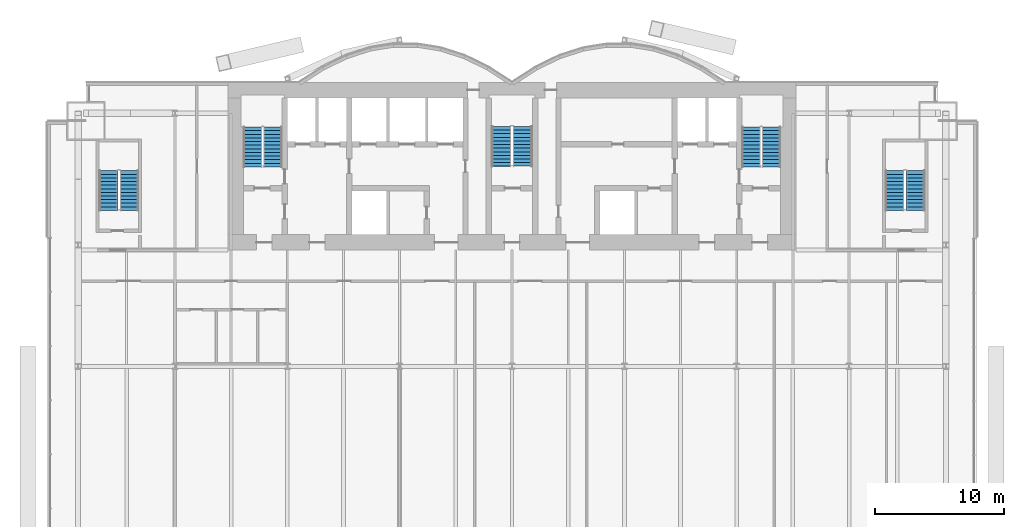
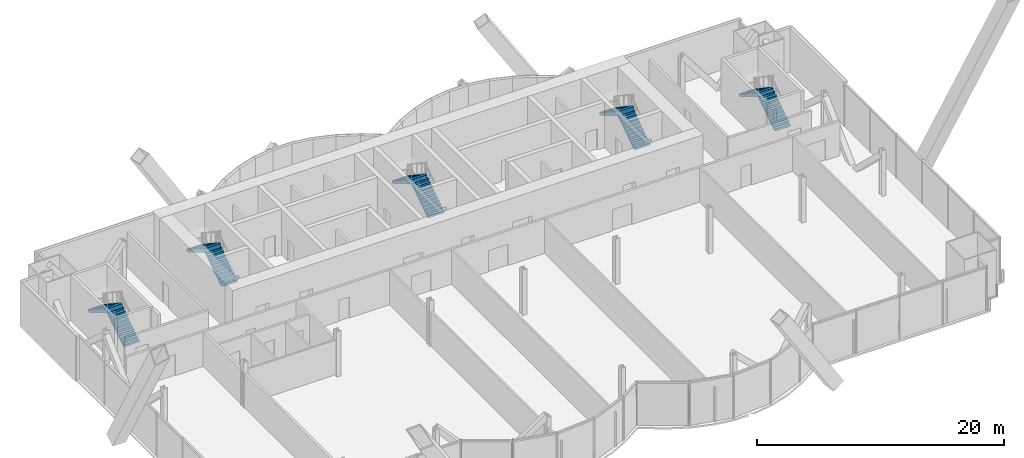
# One storey, part 20 of 23: 10 stair flights, 5 elements without a shape of their own.
"""IFC4 building model written with IfcOpenShell, lengths in metres."""

from ifc_helpers import new_model, si_unit, direction, frame, origin, place, context, subcontext, project, spatial, polyline, outline, extrude, material, type_object, element, aggregate, save


model = new_model("IFC4")

# Units and contexts
model_context = context("Model", 3, precision=1e-05, world=origin(), true_north=direction((0.0, 1.0)))
body_context = subcontext(model_context, "Body", "Model", "MODEL_VIEW")
ifc_project = project(units=[si_unit("LENGTHUNIT", "METRE"), si_unit("AREAUNIT", "SQUARE_METRE"), si_unit("VOLUMEUNIT", "CUBIC_METRE"), si_unit("PLANEANGLEUNIT", "RADIAN"), si_unit("MASSUNIT", "GRAM", prefix="KILO")], contexts=[model_context])

# Site, building, storey
site_placement = place(None, origin())
site = spatial("IfcSite", under=ifc_project, at=site_placement, CompositionType="ELEMENT")
building_placement = place(site_placement, origin())
building = spatial("IfcBuilding", under=site, at=building_placement, Name="Bicima Exchange Tower", CompositionType="ELEMENT")
storey_placement = place(building_placement, frame((0.0, 0.0, 62.0)))
storey = spatial("IfcBuildingStorey", under=building, at=storey_placement, Name="L12", CompositionType="ELEMENT", Elevation=62.0)

# Stair, stair flights
ifc_material = material(Name="Concrete C50/60", Category="concrete")
stair_type_1 = type_object("IfcStairType", Name="Exit stair", PredefinedType="HALF_TURN_STAIR", material=ifc_material)
stair_1_placement = place(storey_placement, origin())
stair_1 = element("IfcStair", 1, at=stair_1_placement, inside=storey, type_object=stair_type_1, Name="L12 West exit stair", PredefinedType="HALF_TURN_STAIR")
stair_flight_type_1 = type_object("IfcStairFlightType", Name="Stair flight RC", PredefinedType="STRAIGHT", material=ifc_material)
stair_flight_1_placement = place(storey_placement, frame((-18.52490234375, -6.550048828125, 0.0), z_axis=(0.0, 0.0, 1.0), x_axis=(0.0, 1.0, 0.0)))
stair_flight_1 = element("IfcStairFlight", 2, at=stair_flight_1_placement, type_object=stair_flight_type_1, Name="ST-W flight 1", NumberOfRisers=12, NumberOfTreads=11, PredefinedType="STRAIGHT", RiserHeight=0.1875, TreadLength=0.28, context=body_context, shape_type="SweptSolid", body=[
    extrude(outline(polyline([(0.0, 0.0), (0.0, 0.1875), (0.280029296875, 0.1875), (0.280029296875, 0.375), (0.56005859375, 0.375), (0.56005859375, 0.5625), (0.840087890625, 0.5625), (0.840087890625, 0.75), (1.1201171875, 0.75), (1.1201171875, 0.9375), (1.39990234375, 0.9375), (1.39990234375, 1.125), (1.679931640625, 1.125), (1.679931640625, 1.3125), (1.9599609375, 1.3125), (1.9599609375, 1.5), (2.239990234375, 1.5), (2.239990234375, 1.6875), (2.52001953125, 1.6875), (2.52001953125, 1.875), (2.800048828125, 1.875), (2.800048828125, 2.0625), (3.080078125, 2.0625), (3.080078125, 2.25), (3.080078125, 1.882080078125), (0.26953125, 0.0), (0.0, 0.0)])), frame((0.0, 0.72509765625, 0.0), z_axis=(0.0, -1.0, 0.0), x_axis=(1.0, 0.0, 0.0)), (0.0, 0.0, 1.0), 1.449951171875),
])
stair_flight_2_placement = place(storey_placement, frame((-20.074951171875, -3.469970703125, 2.25), z_axis=(0.0, 0.0, 1.0), x_axis=(0.0, -1.0, 0.0)))
stair_flight_2 = element("IfcStairFlight", 3, at=stair_flight_2_placement, type_object=stair_flight_type_1, Name="ST-W flight 2", NumberOfRisers=12, NumberOfTreads=11, PredefinedType="STRAIGHT", RiserHeight=0.1875, TreadLength=0.28, context=body_context, shape_type="SweptSolid", body=[
    extrude(outline(polyline([(0.0, 0.0), (0.0, 0.1875), (0.280029296875, 0.1875), (0.280029296875, 0.375), (0.56005859375, 0.375), (0.56005859375, 0.5625), (0.840087890625, 0.5625), (0.840087890625, 0.75), (1.1201171875, 0.75), (1.1201171875, 0.9375), (1.39990234375, 0.9375), (1.39990234375, 1.125), (1.679931640625, 1.125), (1.679931640625, 1.3125), (1.9599609375, 1.3125), (1.9599609375, 1.5), (2.239990234375, 1.5), (2.239990234375, 1.6875), (2.52001953125, 1.6875), (2.52001953125, 1.875), (2.800048828125, 1.875), (2.800048828125, 2.0625), (3.080078125, 2.0625), (3.080078125, 2.10400390625), (3.094970703125, 2.10400390625), (3.094970703125, 1.70458984375), (0.26953125, 0.0), (0.0, 0.0)])), frame((0.0, 0.72509765625, 0.0), z_axis=(0.0, -1.0, 0.0), x_axis=(1.0, 0.0, 0.0)), (0.0, 0.0, 1.0), 1.449951171875),
])
aggregate(stair_1, [stair_flight_1, stair_flight_2])

stair_2_placement = place(storey_placement, origin())
stair_2 = element("IfcStair", 4, at=stair_2_placement, inside=storey, type_object=stair_type_1, Name="L12 East exit stair", PredefinedType="HALF_TURN_STAIR")
stair_flight_3_placement = place(storey_placement, frame((20.074951171875, -6.550048828125, 0.0), z_axis=(0.0, 0.0, 1.0), x_axis=(0.0, 1.0, 0.0)))
stair_flight_3 = element("IfcStairFlight", 5, at=stair_flight_3_placement, type_object=stair_flight_type_1, Name="ST-E flight 1", NumberOfRisers=12, NumberOfTreads=11, PredefinedType="STRAIGHT", RiserHeight=0.1875, TreadLength=0.28, context=body_context, shape_type="SweptSolid", body=[
    extrude(outline(polyline([(0.0, 0.0), (0.0, 0.1875), (0.280029296875, 0.1875), (0.280029296875, 0.375), (0.56005859375, 0.375), (0.56005859375, 0.5625), (0.840087890625, 0.5625), (0.840087890625, 0.75), (1.1201171875, 0.75), (1.1201171875, 0.9375), (1.39990234375, 0.9375), (1.39990234375, 1.125), (1.679931640625, 1.125), (1.679931640625, 1.3125), (1.9599609375, 1.3125), (1.9599609375, 1.5), (2.239990234375, 1.5), (2.239990234375, 1.6875), (2.52001953125, 1.6875), (2.52001953125, 1.875), (2.800048828125, 1.875), (2.800048828125, 2.0625), (3.080078125, 2.0625), (3.080078125, 2.25), (3.080078125, 1.882080078125), (0.26953125, 0.0), (0.0, 0.0)])), frame((0.0, 0.72509765625, 0.0), z_axis=(0.0, -1.0, 0.0), x_axis=(1.0, 0.0, 0.0)), (0.0, 0.0, 1.0), 1.449951171875),
])
stair_flight_4_placement = place(storey_placement, frame((18.52490234375, -3.469970703125, 2.25), z_axis=(0.0, 0.0, 1.0), x_axis=(0.0, -1.0, 0.0)))
stair_flight_4 = element("IfcStairFlight", 6, at=stair_flight_4_placement, type_object=stair_flight_type_1, Name="ST-E flight 2", NumberOfRisers=12, NumberOfTreads=11, PredefinedType="STRAIGHT", RiserHeight=0.1875, TreadLength=0.28, context=body_context, shape_type="SweptSolid", body=[
    extrude(outline(polyline([(0.0, 0.0), (0.0, 0.1875), (0.280029296875, 0.1875), (0.280029296875, 0.375), (0.56005859375, 0.375), (0.56005859375, 0.5625), (0.840087890625, 0.5625), (0.840087890625, 0.75), (1.1201171875, 0.75), (1.1201171875, 0.9375), (1.39990234375, 0.9375), (1.39990234375, 1.125), (1.679931640625, 1.125), (1.679931640625, 1.3125), (1.9599609375, 1.3125), (1.9599609375, 1.5), (2.239990234375, 1.5), (2.239990234375, 1.6875), (2.52001953125, 1.6875), (2.52001953125, 1.875), (2.800048828125, 1.875), (2.800048828125, 2.0625), (3.080078125, 2.0625), (3.080078125, 2.10400390625), (3.094970703125, 2.10400390625), (3.094970703125, 1.70458984375), (0.26953125, 0.0), (0.0, 0.0)])), frame((0.0, 0.72509765625, 0.0), z_axis=(0.0, -1.0, 0.0), x_axis=(1.0, 0.0, 0.0)), (0.0, 0.0, 1.0), 1.449951171875),
])
aggregate(stair_2, [stair_flight_3, stair_flight_4])

stair_3_placement = place(storey_placement, origin())
stair_3 = element("IfcStair", 7, at=stair_3_placement, inside=storey, type_object=stair_type_1, Name="L12 West end exit stair", PredefinedType="HALF_TURN_STAIR")
stair_flight_5_placement = place(storey_placement, frame((-29.64990234375, -9.925048828125, 0.0), z_axis=(0.0, 0.0, 1.0), x_axis=(0.0, 1.0, 0.0)))
stair_flight_5 = element("IfcStairFlight", 8, at=stair_flight_5_placement, type_object=stair_flight_type_1, Name="ST-WW flight 1", NumberOfRisers=12, NumberOfTreads=11, PredefinedType="STRAIGHT", RiserHeight=0.1875, TreadLength=0.28, context=body_context, shape_type="SweptSolid", body=[
    extrude(outline(polyline([(0.0, 0.0), (0.0, 0.1875), (0.280029296875, 0.1875), (0.280029296875, 0.375), (0.56005859375, 0.375), (0.56005859375, 0.5625), (0.840087890625, 0.5625), (0.840087890625, 0.75), (1.1201171875, 0.75), (1.1201171875, 0.9375), (1.39990234375, 0.9375), (1.39990234375, 1.125), (1.679931640625, 1.125), (1.679931640625, 1.3125), (1.9599609375, 1.3125), (1.9599609375, 1.5), (2.239990234375, 1.5), (2.239990234375, 1.6875), (2.52001953125, 1.6875), (2.52001953125, 1.875), (2.800048828125, 1.875), (2.800048828125, 2.0625), (3.080078125, 2.0625), (3.080078125, 2.25), (3.080078125, 1.882080078125), (0.26953125, 0.0), (0.0, 0.0)])), frame((0.0, 0.72509765625, 0.0), z_axis=(0.0, -1.0, 0.0), x_axis=(1.0, 0.0, 0.0)), (0.0, 0.0, 1.0), 1.449951171875),
])
stair_flight_6_placement = place(storey_placement, frame((-31.25, -6.844970703125, 2.25), z_axis=(0.0, 0.0, 1.0), x_axis=(0.0, -1.0, 0.0)))
stair_flight_6 = element("IfcStairFlight", 9, at=stair_flight_6_placement, type_object=stair_flight_type_1, Name="ST-WW flight 2", NumberOfRisers=12, NumberOfTreads=11, PredefinedType="STRAIGHT", RiserHeight=0.1875, TreadLength=0.28, context=body_context, shape_type="SweptSolid", body=[
    extrude(outline(polyline([(0.0, 0.0), (0.0, 0.1875), (0.280029296875, 0.1875), (0.280029296875, 0.375), (0.56005859375, 0.375), (0.56005859375, 0.5625), (0.840087890625, 0.5625), (0.840087890625, 0.75), (1.1201171875, 0.75), (1.1201171875, 0.9375), (1.39990234375, 0.9375), (1.39990234375, 1.125), (1.679931640625, 1.125), (1.679931640625, 1.3125), (1.9599609375, 1.3125), (1.9599609375, 1.5), (2.239990234375, 1.5), (2.239990234375, 1.6875), (2.52001953125, 1.6875), (2.52001953125, 1.875), (2.800048828125, 1.875), (2.800048828125, 2.0625), (3.080078125, 2.0625), (3.080078125, 2.10400390625), (3.094970703125, 2.10400390625), (3.094970703125, 1.70458984375), (0.26953125, 0.0), (0.0, 0.0)])), frame((0.0, 0.72509765625, 0.0), z_axis=(0.0, -1.0, 0.0), x_axis=(1.0, 0.0, 0.0)), (0.0, 0.0, 1.0), 1.449951171875),
])
aggregate(stair_3, [stair_flight_5, stair_flight_6])

stair_4_placement = place(storey_placement, origin())
stair_4 = element("IfcStair", 10, at=stair_4_placement, inside=storey, type_object=stair_type_1, Name="L12 East end exit stair", PredefinedType="HALF_TURN_STAIR")
stair_flight_7_placement = place(storey_placement, frame((31.25, -9.925048828125, 0.0), z_axis=(0.0, 0.0, 1.0), x_axis=(0.0, 1.0, 0.0)))
stair_flight_7 = element("IfcStairFlight", 11, at=stair_flight_7_placement, type_object=stair_flight_type_1, Name="ST-EE flight 1", NumberOfRisers=12, NumberOfTreads=11, PredefinedType="STRAIGHT", RiserHeight=0.1875, TreadLength=0.28, context=body_context, shape_type="SweptSolid", body=[
    extrude(outline(polyline([(0.0, 0.0), (0.0, 0.1875), (0.280029296875, 0.1875), (0.280029296875, 0.375), (0.56005859375, 0.375), (0.56005859375, 0.5625), (0.840087890625, 0.5625), (0.840087890625, 0.75), (1.1201171875, 0.75), (1.1201171875, 0.9375), (1.39990234375, 0.9375), (1.39990234375, 1.125), (1.679931640625, 1.125), (1.679931640625, 1.3125), (1.9599609375, 1.3125), (1.9599609375, 1.5), (2.239990234375, 1.5), (2.239990234375, 1.6875), (2.52001953125, 1.6875), (2.52001953125, 1.875), (2.800048828125, 1.875), (2.800048828125, 2.0625), (3.080078125, 2.0625), (3.080078125, 2.25), (3.080078125, 1.882080078125), (0.26953125, 0.0), (0.0, 0.0)])), frame((0.0, 0.72509765625, 0.0), z_axis=(0.0, -1.0, 0.0), x_axis=(1.0, 0.0, 0.0)), (0.0, 0.0, 1.0), 1.449951171875),
])
stair_flight_8_placement = place(storey_placement, frame((29.64990234375, -6.844970703125, 2.25), z_axis=(0.0, 0.0, 1.0), x_axis=(0.0, -1.0, 0.0)))
stair_flight_8 = element("IfcStairFlight", 12, at=stair_flight_8_placement, type_object=stair_flight_type_1, Name="ST-EE flight 2", NumberOfRisers=12, NumberOfTreads=11, PredefinedType="STRAIGHT", RiserHeight=0.1875, TreadLength=0.28, context=body_context, shape_type="SweptSolid", body=[
    extrude(outline(polyline([(0.0, 0.0), (0.0, 0.1875), (0.280029296875, 0.1875), (0.280029296875, 0.375), (0.56005859375, 0.375), (0.56005859375, 0.5625), (0.840087890625, 0.5625), (0.840087890625, 0.75), (1.1201171875, 0.75), (1.1201171875, 0.9375), (1.39990234375, 0.9375), (1.39990234375, 1.125), (1.679931640625, 1.125), (1.679931640625, 1.3125), (1.9599609375, 1.3125), (1.9599609375, 1.5), (2.239990234375, 1.5), (2.239990234375, 1.6875), (2.52001953125, 1.6875), (2.52001953125, 1.875), (2.800048828125, 1.875), (2.800048828125, 2.0625), (3.080078125, 2.0625), (3.080078125, 2.10400390625), (3.094970703125, 2.10400390625), (3.094970703125, 1.70458984375), (0.26953125, 0.0), (0.0, 0.0)])), frame((0.0, 0.72509765625, 0.0), z_axis=(0.0, -1.0, 0.0), x_axis=(1.0, 0.0, 0.0)), (0.0, 0.0, 1.0), 1.449951171875),
])
aggregate(stair_4, [stair_flight_7, stair_flight_8])

stair_type_2 = type_object("IfcStairType", Name="Exit stair 1500", PredefinedType="HALF_TURN_STAIR", material=ifc_material)
stair_5_placement = place(storey_placement, origin())
stair_5 = element("IfcStair", 13, at=stair_5_placement, inside=storey, type_object=stair_type_2, Name="L12 Central exit stair", PredefinedType="HALF_TURN_STAIR")
stair_flight_type_2 = type_object("IfcStairFlightType", Name="Stair flight RC 1500", PredefinedType="STRAIGHT", material=ifc_material)
stair_flight_9_placement = place(storey_placement, frame((0.824951171875, -6.5, 0.0), z_axis=(0.0, 0.0, 1.0), x_axis=(0.0, 1.0, 0.0)))
stair_flight_9 = element("IfcStairFlight", 14, at=stair_flight_9_placement, type_object=stair_flight_type_2, Name="ST-C flight 1", NumberOfRisers=12, NumberOfTreads=11, PredefinedType="STRAIGHT", RiserHeight=0.1875, TreadLength=0.28, context=body_context, shape_type="SweptSolid", body=[
    extrude(outline(polyline([(0.0, 0.0), (0.0, 0.1875), (0.280029296875, 0.1875), (0.280029296875, 0.375), (0.56005859375, 0.375), (0.56005859375, 0.5625), (0.840087890625, 0.5625), (0.840087890625, 0.75), (1.1201171875, 0.75), (1.1201171875, 0.9375), (1.39990234375, 0.9375), (1.39990234375, 1.125), (1.679931640625, 1.125), (1.679931640625, 1.3125), (1.9599609375, 1.3125), (1.9599609375, 1.5), (2.239990234375, 1.5), (2.239990234375, 1.6875), (2.52001953125, 1.6875), (2.52001953125, 1.875), (2.800048828125, 1.875), (2.800048828125, 2.0625), (3.080078125, 2.0625), (3.080078125, 2.25), (3.080078125, 1.882080078125), (0.26953125, 0.0), (0.0, 0.0)])), frame((0.0, 0.75, 0.0), z_axis=(0.0, -1.0, 0.0), x_axis=(1.0, 0.0, 0.0)), (0.0, 0.0, 1.0), 1.5),
])
stair_flight_10_placement = place(storey_placement, frame((-0.824951171875, -3.419921875, 2.25), z_axis=(0.0, 0.0, 1.0), x_axis=(0.0, -1.0, 0.0)))
stair_flight_10 = element("IfcStairFlight", 15, at=stair_flight_10_placement, type_object=stair_flight_type_2, Name="ST-C flight 2", NumberOfRisers=12, NumberOfTreads=11, PredefinedType="STRAIGHT", RiserHeight=0.1875, TreadLength=0.28, context=body_context, shape_type="SweptSolid", body=[
    extrude(outline(polyline([(0.0, 0.0), (0.0, 0.1875), (0.280029296875, 0.1875), (0.280029296875, 0.375), (0.56005859375, 0.375), (0.56005859375, 0.5625), (0.840087890625, 0.5625), (0.840087890625, 0.75), (1.1201171875, 0.75), (1.1201171875, 0.9375), (1.39990234375, 0.9375), (1.39990234375, 1.125), (1.679931640625, 1.125), (1.679931640625, 1.3125), (1.9599609375, 1.3125), (1.9599609375, 1.5), (2.239990234375, 1.5), (2.239990234375, 1.6875), (2.52001953125, 1.6875), (2.52001953125, 1.875), (2.800048828125, 1.875), (2.800048828125, 2.0625), (3.080078125, 2.0625), (3.080078125, 2.10400390625), (3.094970703125, 2.10400390625), (3.094970703125, 1.70458984375), (0.26953125, 0.0), (0.0, 0.0)])), frame((0.0, 0.75, 0.0), z_axis=(0.0, -1.0, 0.0), x_axis=(1.0, 0.0, 0.0)), (0.0, 0.0, 1.0), 1.5),
])
aggregate(stair_5, [stair_flight_9, stair_flight_10])

save(model, "model.ifc")
